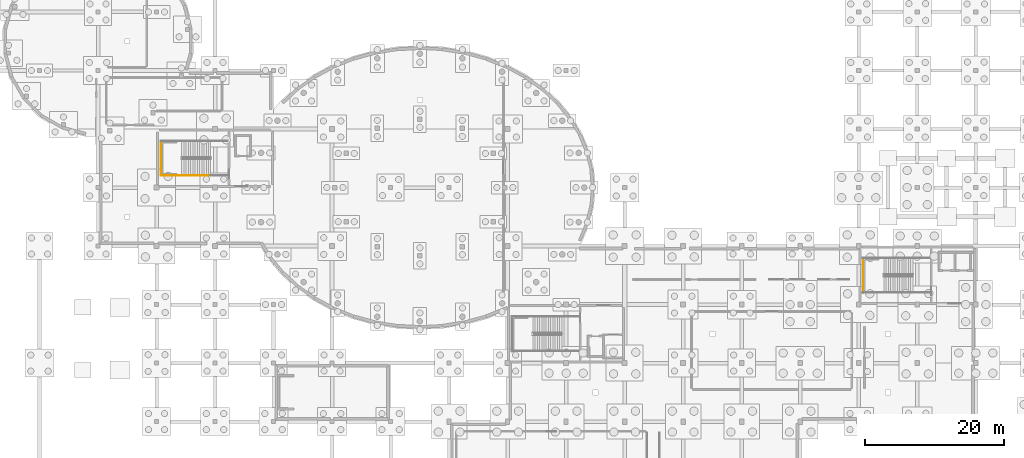
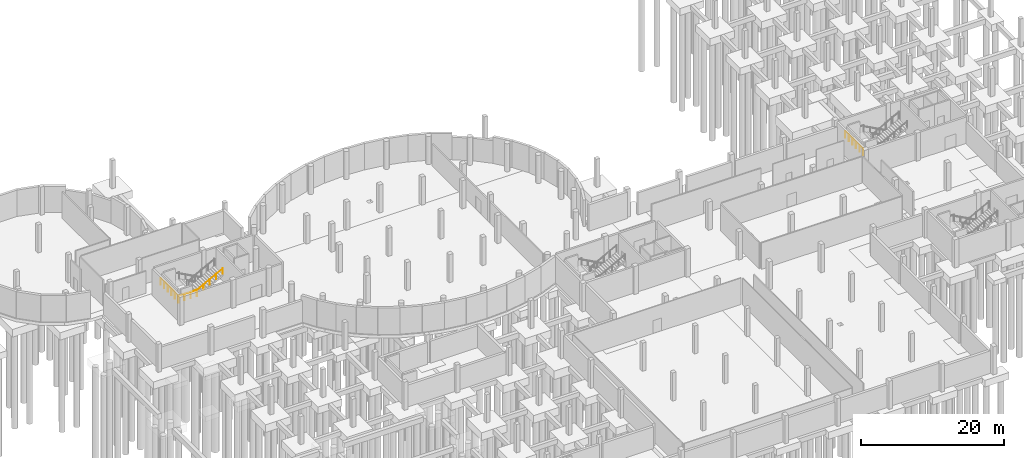
# One storey, part 22 of 24: 4 railings.
"""IFC4 building model written with IfcOpenShell, lengths in metres."""

from ifc_helpers import new_model, si_unit, derived_unit, direction, frame, origin, origin_2d, place, context, subcontext, project, spatial, circle, extrude, material, type_object, element, save


model = new_model("IFC4")

# Units and contexts
model_context = context("Model", 3, precision=1e-05, world=origin(), true_north=direction((0.0, 1.0)))
body_context = subcontext(model_context, "Body", "Model", "MODEL_VIEW")
ifc_project = project(units=[si_unit("LENGTHUNIT", "METRE"), si_unit("AREAUNIT", "SQUARE_METRE"), si_unit("VOLUMEUNIT", "CUBIC_METRE"), si_unit("PLANEANGLEUNIT", "RADIAN"), si_unit("MASSUNIT", "GRAM", prefix="KILO"), derived_unit("THERMALTRANSMITTANCEUNIT", [(si_unit("POWERUNIT", "WATT"), 1), (si_unit("LENGTHUNIT", "METRE"), -2), (si_unit("THERMODYNAMICTEMPERATUREUNIT", "KELVIN"), -1)])], contexts=[model_context])

# Site, building, storey
site_placement = place(None, origin())
site = spatial("IfcSite", under=ifc_project, at=site_placement, CompositionType="ELEMENT")
building_placement = place(site_placement, origin())
building = spatial("IfcBuilding", under=site, at=building_placement, Name="Elbkamm Science Centre", CompositionType="ELEMENT")
storey_placement = place(building_placement, frame((0.0, 0.0, -4.800048828125)))
storey = spatial("IfcBuildingStorey", under=building, at=storey_placement, Name="B01", CompositionType="ELEMENT", Elevation=-4.800048828125)

# Railings
ifc_material = material(Name="Stainless steel EN 1.4401", Category="steel")
railing_type_1 = type_object("IfcRailingType", Name="RAIL-GUARD-1100", PredefinedType="GUARDRAIL", material=ifc_material)
railing_1_placement = place(storey_placement, frame((28.820068359375, 68.929931640625, 2.400146484375)))
element("IfcRailing", 1, at=railing_1_placement, inside=storey, type_object=railing_type_1, Name="B01 ST-C1 stair guard 4", PredefinedType="GUARDRAIL", context=body_context, shape_type="SweptSolid", body=[
    extrude(circle(Radius=0.02392578125, at=origin_2d()), frame((0.0, 0.0, 1.078125), z_axis=(-1.0, 0.0, 0.0), x_axis=(0.0, -1.0, 0.0)), (0.0, 0.0, 1.0), 3.02001953125),
    extrude(circle(Radius=0.02001953125, at=origin_2d()), origin(), (0.0, 0.0, 1.0), 1.048095703125),
    extrude(circle(Radius=0.02001953125, at=origin_2d()), frame((-1.006591796875, 0.0, 0.0)), (0.0, 0.0, 1.0), 1.048095703125),
    extrude(circle(Radius=0.02001953125, at=origin_2d()), frame((-2.013427734375, 0.0, 0.0)), (0.0, 0.0, 1.0), 1.048095703125),
    extrude(circle(Radius=0.02001953125, at=origin_2d()), frame((-3.02001953125, 0.0, 0.0)), (0.0, 0.0, 1.0), 1.048095703125),
])
for number, where, name in (
    (2, (25.85009765625, 73.919921875, 2.400146484375), "B01 ST-C1 stair guard 5"),
    (3, (126.64990234375, 57.1201171875, 2.400146484375), "B01 ST-C3 stair guard 5"),
):
    element("IfcRailing", number, at=place(storey_placement, frame(where)), inside=storey, type_object=railing_type_1, Name=name, PredefinedType="GUARDRAIL", context=body_context, shape_type="SweptSolid", body=[
        extrude(circle(Radius=0.02392578125, at=origin_2d()), frame((0.0, 0.0, 1.078125), z_axis=(0.0, -1.0, 0.0), x_axis=(1.0, 0.0, 0.0)), (0.0, 0.0, 1.0), 5.0400390625),
        extrude(circle(Radius=0.02001953125, at=origin_2d()), origin(), (0.0, 0.0, 1.0), 1.048095703125),
        extrude(circle(Radius=0.02001953125, at=origin_2d()), frame((0.0, -1.008056640625, 0.0)), (0.0, 0.0, 1.0), 1.048095703125),
        extrude(circle(Radius=0.02001953125, at=origin_2d()), frame((0.0, -2.01611328125, 0.0)), (0.0, 0.0, 1.0), 1.048095703125),
        extrude(circle(Radius=0.02001953125, at=origin_2d()), frame((0.0, -3.02392578125, 0.0)), (0.0, 0.0, 1.0), 1.048095703125),
        extrude(circle(Radius=0.02001953125, at=origin_2d()), frame((0.0, -4.031982421875, 0.0)), (0.0, 0.0, 1.0), 1.048095703125),
        extrude(circle(Radius=0.02001953125, at=origin_2d()), frame((0.0, -5.0400390625, 0.0)), (0.0, 0.0, 1.0), 1.048095703125),
    ])
railing_type_2 = type_object("IfcRailingType", Name="RAIL-HAND-900", PredefinedType="HANDRAIL", material=ifc_material)
railing_2_placement = place(storey_placement, frame((28.820068359375, 68.929931640625, 2.571533203125)))
element("IfcRailing", 4, at=railing_2_placement, inside=storey, type_object=railing_type_2, Name="B01 ST-C1 stair handrail 2", PredefinedType="HANDRAIL", context=body_context, shape_type="SweptSolid", body=[
    extrude(circle(Radius=0.02392578125, at=origin_2d()), frame((0.0, 0.0, 0.8779296875), z_axis=(0.881480739103, 0.0, 0.472219976908), x_axis=(0.0, 1.0, 0.0)), (0.0, 0.0, 1.0), 4.71923828125),
    extrude(circle(Radius=0.02001953125, at=origin_2d()), origin(), (0.0, 0.0, 1.0), 0.847900390625),
    extrude(circle(Radius=0.02001953125, at=origin_2d()), frame((1.0400390625, 0.0, 0.55712890625)), (0.0, 0.0, 1.0), 0.847900390625),
    extrude(circle(Radius=0.02001953125, at=origin_2d()), frame((2.080078125, 0.0, 1.1142578125)), (0.0, 0.0, 1.0), 0.847900390625),
    extrude(circle(Radius=0.02001953125, at=origin_2d()), frame((3.119873046875, 0.0, 1.67138671875)), (0.0, 0.0, 1.0), 0.847900390625),
    extrude(circle(Radius=0.02001953125, at=origin_2d()), frame((4.159912109375, 0.0, 2.228515625)), (0.0, 0.0, 1.0), 0.847900390625),
])

save(model, "model.ifc")
